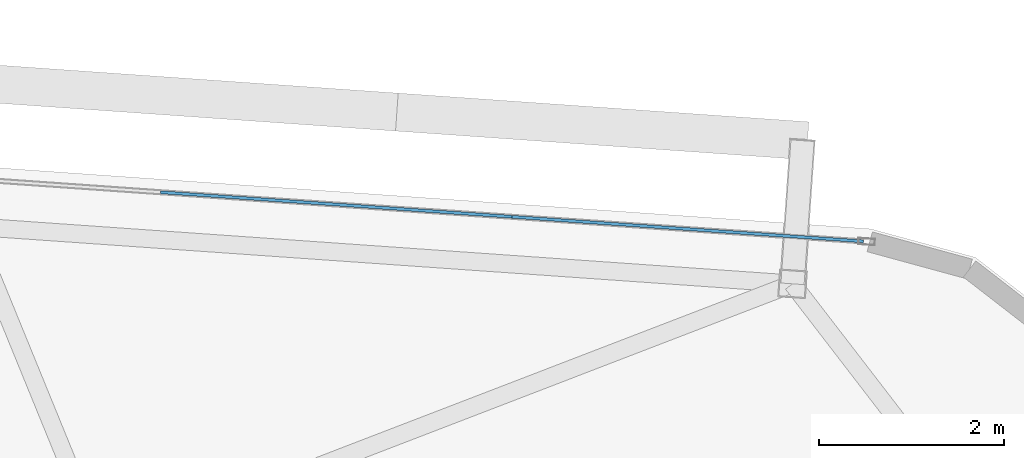
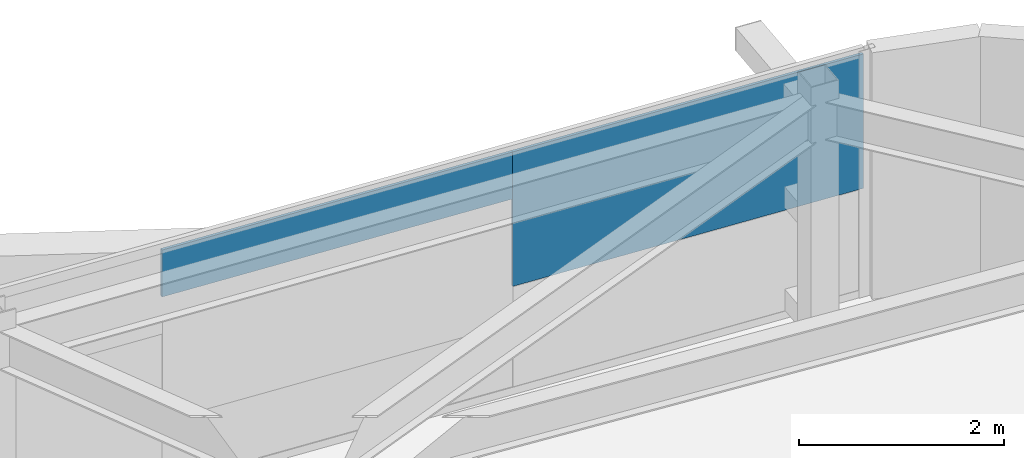
# One storey, part 26 of 39: 2 plates, 1 element without a shape of its own.
"""IFC4 building model written with IfcOpenShell, lengths in metres."""

import ifcopenshell
import ifcopenshell.guid

model = None  # the IFC model being written
_history = None  # IfcOwnerHistory: only IFC2X3 demands one
_inside = {}  # id of a spatial element -> (the spatial element, [elements in it])
_under = {}  # id of a project, library or spatial element -> (it, [spatial elements below it])
_declared = {}  # id of a project -> (the project, [libraries it declares])
_typed = {}  # id of a type object -> (the type object, [elements of that type])
_made_of = {}  # id of a material, layer set ... -> (it, [elements and type objects made of it])


def new_model(schema):
    """Start an empty IFC model of exactly this schema.

    Asked for "IFC4X3", IfcOpenShell would pick the latest addendum, in which some entities
    have other attributes; the version numbers below select the first issue.
    IFC2X3 requires an IfcOwnerHistory on every rooted entity: one is made here for all.
    """
    global model, _history
    if schema == "IFC4X3":
        model = ifcopenshell.file(schema_version=(4, 3, 0, 0))
    else:
        model = ifcopenshell.file(schema=schema)
    _inside.clear()
    _under.clear()
    _declared.clear()
    _typed.clear()
    _made_of.clear()
    _history = None
    if model.schema == "IFC2X3":
        org = make("IfcOrganization", Name="unknown")
        user = make(
            "IfcPersonAndOrganization",
            ThePerson=make("IfcPerson", FamilyName="unknown"),
            TheOrganization=org,
        )
        app = make(
            "IfcApplication",
            ApplicationDeveloper=org,
            Version="unknown",
            ApplicationFullName="unknown",
            ApplicationIdentifier="unknown",
        )
        _history = make(
            "IfcOwnerHistory",
            OwningUser=user,
            OwningApplication=app,
            ChangeAction="ADDED",
            CreationDate=0,
        )
    return model


def make(cls, **values):
    """One entity of the class cls with the attributes given. An attribute that is None is left unset."""
    return model.create_entity(
        cls, **{name: value for name, value in values.items() if value is not None}
    )


def rooted(cls, **values):
    """An entity with a GlobalId (a new one), such as an element, a storey or a relation."""
    return make(cls, GlobalId=ifcopenshell.guid.new(), OwnerHistory=_history, **values)


def si_unit(unit_type, name, prefix=None):
    """IfcSIUnit, for example si_unit("LENGTHUNIT", "METRE", prefix="MILLI")."""
    return make("IfcSIUnit", UnitType=unit_type, Prefix=prefix, Name=name)


def assignment(units):
    """IfcUnitAssignment: the units of a project."""
    return None if units is None else make("IfcUnitAssignment", Units=units)


def point(xyz):
    """IfcCartesianPoint."""
    return None if xyz is None else make("IfcCartesianPoint", Coordinates=xyz)


def direction(xyz):
    """IfcDirection."""
    return None if xyz is None else make("IfcDirection", DirectionRatios=xyz)


def frame(location, z_axis=None, x_axis=None):
    """IfcAxis2Placement3D, a coordinate frame: its origin and axes. An axis left out is left unset."""
    return make(
        "IfcAxis2Placement3D",
        Location=point(location),
        Axis=direction(z_axis),
        RefDirection=direction(x_axis),
    )


def frame_2d(location, x_axis=None):
    """IfcAxis2Placement2D, a coordinate frame in the plane: its origin and x axis."""
    return make(
        "IfcAxis2Placement2D", Location=point(location), RefDirection=direction(x_axis)
    )


def origin():
    """The frame at (0, 0, 0) with its axes left unset."""
    return frame((0.0, 0.0, 0.0))


def origin_2d():
    """The frame at (0, 0) in the plane with its x axis left unset."""
    return frame_2d((0.0, 0.0))


def place(relative_to, where):
    """IfcLocalPlacement: puts the frame where relative to a parent placement (None: the world)."""
    return make(
        "IfcLocalPlacement", PlacementRelTo=relative_to, RelativePlacement=where
    )


def context(
    kind, dimensions, precision=None, world=None, true_north=None, identifier=None
):
    """IfcGeometricRepresentationContext, for example the 3D "Model" context."""
    return make(
        "IfcGeometricRepresentationContext",
        ContextIdentifier=identifier,
        ContextType=kind,
        CoordinateSpaceDimension=dimensions,
        Precision=precision,
        WorldCoordinateSystem=world,
        TrueNorth=true_north,
    )


def subcontext(parent, identifier, kind, view, scale=None):
    """IfcGeometricRepresentationSubContext, for example "Body" below "Model"."""
    return make(
        "IfcGeometricRepresentationSubContext",
        ContextIdentifier=identifier,
        ContextType=kind,
        ParentContext=parent,
        TargetScale=scale,
        TargetView=view,
    )


def project(units=None, contexts=None):
    """IfcProject with its units and contexts."""
    return rooted(
        "IfcProject",
        Name="project",
        RepresentationContexts=contexts,
        UnitsInContext=assignment(units),
    )


def spatial(cls, under=None, at=None, **own):
    """A site, building, storey or space (cls), placed at a placement, below another one or the project."""
    s = rooted(cls, ObjectPlacement=at, **own)
    if under is not None:
        _under.setdefault(under.id(), (under, []))[1].append(s)
    return s


def profile(cls, at=None, kind="AREA", **sizes):
    """A parametric profile (cls). Its sizes go by their IFC names, for example OverallWidth=200.0."""
    return make(cls, ProfileType=kind, Position=at, **sizes)


def rectangle(**sizes):
    """IfcRectangleProfileDef."""
    return profile("IfcRectangleProfileDef", **sizes)


def extrude(swept, where, along, depth):
    """IfcExtrudedAreaSolid: the profile swept, set in the frame where, extruded along a direction by depth."""
    return make(
        "IfcExtrudedAreaSolid",
        SweptArea=swept,
        Position=where,
        ExtrudedDirection=direction(along),
        Depth=depth,
    )


def shape(context_of_items, identifier, shape_type, items):
    """IfcShapeRepresentation: the items that make up one representation, for example the "Body"."""
    return make(
        "IfcShapeRepresentation",
        ContextOfItems=context_of_items,
        RepresentationIdentifier=identifier,
        RepresentationType=shape_type,
        Items=items,
    )


def source(mapping_origin, context_of_items, identifier, shape_type, items):
    """IfcRepresentationMap: a shape defined once, which mapped items show again and again."""
    return make(
        "IfcRepresentationMap",
        MappingOrigin=mapping_origin,
        MappedRepresentation=shape(context_of_items, identifier, shape_type, items),
    )


def transform(
    local_origin,
    x_axis=None,
    y_axis=None,
    z_axis=None,
    scale=None,
    scale2=None,
    scale3=None,
    uniform=True,
):
    """IfcCartesianTransformationOperator3D, or its non-uniform kind. x_axis, y_axis, z_axis: its Axis1, 2, 3."""
    if uniform:
        return make(
            "IfcCartesianTransformationOperator3D",
            Axis1=direction(x_axis),
            Axis2=direction(y_axis),
            LocalOrigin=point(local_origin),
            Scale=scale,
            Axis3=direction(z_axis),
        )
    return make(
        "IfcCartesianTransformationOperator3DnonUniform",
        Axis1=direction(x_axis),
        Axis2=direction(y_axis),
        LocalOrigin=point(local_origin),
        Scale=scale,
        Axis3=direction(z_axis),
        Scale2=scale2,
        Scale3=scale3,
    )


def mapped(mapping_source, mapping_target):
    """IfcMappedItem: shows the shape of a source again, moved by a transform."""
    return make(
        "IfcMappedItem", MappingSource=mapping_source, MappingTarget=mapping_target
    )


def material(Name=None, Category=None):
    """IfcMaterial."""
    return make("IfcMaterial", Name=Name, Category=Category)


def layer(
    of_material, thickness, ventilated=None, Name=None, Category=None, Priority=None
):
    """IfcMaterialLayer: one layer of a wall or slab, of a material (None: an air gap)."""
    return make(
        "IfcMaterialLayer",
        Material=of_material,
        LayerThickness=thickness,
        IsVentilated=ventilated,
        Name=Name,
        Category=Category,
        Priority=Priority,
    )


def layer_set(layers, Name=None):
    """IfcMaterialLayerSet."""
    return make("IfcMaterialLayerSet", MaterialLayers=layers, LayerSetName=Name)


def made_of(thing, what):
    """Note that an element or type object is made of a material, layer set ...; save() writes the relation."""
    if what is not None:
        _made_of.setdefault(what.id(), (what, []))[1].append(thing)
    return thing


def type_object(cls, material=None, **own):
    """A type object (cls), such as IfcWallType, which elements share."""
    return made_of(rooted(cls, **own), material)


def element(
    cls,
    number,
    at=None,
    inside=None,
    cuts=None,
    type_object=None,
    material=None,
    context=None,
    identifier="Body",
    shape_type=None,
    held_by="IfcProductDefinitionShape",
    body=None,
    shapes=None,
    **own,
):
    """One element of the class cls, such as IfcWall. Its Tag is "e" and its number.

    at: its placement. inside: the storey or other place that contains it. cuts: it is an
    opening in that element (IfcRelVoidsElement). A single representation is given by context,
    identifier, shape_type and body (its items); several are given by shapes. held_by: the class
    of the entity that holds the representations. save() writes the other relations.
    """
    e = rooted(cls, Tag="e%d" % number, ObjectPlacement=at, **own)
    if body is not None:
        shapes = [shape(context, identifier, shape_type, body)]
    if shapes is not None:
        e.Representation = make(held_by, Representations=shapes)
    if inside is not None:
        _inside.setdefault(inside.id(), (inside, []))[1].append(e)
    if cuts is not None:
        rooted(
            "IfcRelVoidsElement", RelatingBuildingElement=cuts, RelatedOpeningElement=e
        )
    if type_object is not None:
        _typed.setdefault(type_object.id(), (type_object, []))[1].append(e)
    return made_of(e, material)


def aggregate(whole, parts):
    """IfcRelAggregates: a whole, such as a stair, and the parts it consists of."""
    return rooted("IfcRelAggregates", RelatingObject=whole, RelatedObjects=parts)


def save(model, path):
    """Write the relations noted so far, then the file.

    IfcRelAggregates (storeys below a building ...), IfcRelContainedInSpatialStructure (elements
    in a storey), IfcRelDefinesByType, IfcRelAssociatesMaterial and IfcRelDeclares: one each for
    every whole, place, type object, material and project.
    """
    for whole, parts in _under.values():
        aggregate(whole, parts)
    for where, things in _inside.values():
        rooted(
            "IfcRelContainedInSpatialStructure",
            RelatedElements=things,
            RelatingStructure=where,
        )
    for kind, things in _typed.values():
        rooted("IfcRelDefinesByType", RelatedObjects=things, RelatingType=kind)
    for what, things in _made_of.values():
        rooted("IfcRelAssociatesMaterial", RelatedObjects=things, RelatingMaterial=what)
    for by, libraries in _declared.values():
        rooted("IfcRelDeclares", RelatingContext=by, RelatedDefinitions=libraries)
    model.write(path)


model = new_model("IFC4")

# Units and contexts
model_context = context("Model", 3, precision=1e-05, world=origin(), true_north=direction((0.0, 1.0)))
body_context = subcontext(model_context, "Body", "Model", "MODEL_VIEW")
ifc_project = project(units=[si_unit("LENGTHUNIT", "METRE"), si_unit("AREAUNIT", "SQUARE_METRE"), si_unit("VOLUMEUNIT", "CUBIC_METRE"), si_unit("PLANEANGLEUNIT", "RADIAN"), si_unit("MASSUNIT", "GRAM", prefix="KILO")], contexts=[model_context])

# Site, building, storey
site_placement = place(None, origin())
site = spatial("IfcSite", under=ifc_project, at=site_placement, CompositionType="ELEMENT")
building_placement = place(site_placement, origin())
building = spatial("IfcBuilding", under=site, at=building_placement, Name="Taldren Reach Tower", CompositionType="ELEMENT")
storey_placement = place(building_placement, frame((0.0, 0.0, 136.14990234375)))
storey = spatial("IfcBuildingStorey", under=building, at=storey_placement, Name="L41", CompositionType="ELEMENT", Elevation=136.14990234375)

# Curtain wall, plates
ifc_material_1 = material(Name="Aluminium and Low-E Glass Unitised System", Category="aluminium")
ifc_layer_1 = layer(ifc_material_1, 0.159912109375)
ifc_layer_set_1 = layer_set([ifc_layer_1], Name="Aluminium and Low-E Glass Unitised System")
curtain_wall_type = type_object("IfcCurtainWallType", Name="CW-SYS-4", PredefinedType="NOTDEFINED", material=ifc_layer_set_1)
curtain_wall_placement = place(storey_placement, origin())
curtain_wall = element("IfcCurtainWall", 1, at=curtain_wall_placement, inside=storey, type_object=curtain_wall_type, Name="Unitised curtain wall CW-L41-N", PredefinedType="NOTDEFINED")
ifc_material_2 = material(Name="Solar-Control Double Glazed IGU", Category="glass")
ifc_layer_2 = layer(ifc_material_2, 0.031982421875)
ifc_layer_set_2 = layer_set([ifc_layer_2], Name="Solar-Control Double Glazed IGU")
plate_type = type_object("IfcPlateType", Name="CW-PNL-IGU32", PredefinedType="CURTAIN_PANEL", material=ifc_layer_set_2)
shared_shape_1 = source(origin(), body_context, "Body", "SweptSolid", [
    extrude(rectangle(XDim=3.79833984375, YDim=0.031982421875, at=origin_2d()), origin(), (0.0, 0.0, 1.0), 1.597900390625),
])
plate_1_placement = place(storey_placement, frame((57.3056640625, 35.451904296875, 1.27734375), z_axis=(0.0, 0.0, 1.0), x_axis=(-0.99756404731, 0.06975651593, 0.0)))
plate_1 = element("IfcPlate", 2, at=plate_1_placement, type_object=plate_type, Name="CW-4 panel 1.1 part 1", PredefinedType="CURTAIN_PANEL", context=body_context, shape_type="MappedRepresentation", body=[
    mapped(shared_shape_1, transform((0.0, 0.0, 0.0), scale=1.0)),
])
shared_shape_2 = source(origin(), body_context, "Body", "SweptSolid", [
    extrude(rectangle(XDim=3.79833984375, YDim=0.031982421875, at=origin_2d()), origin(), (0.0, 0.0, 1.0), 0.558349609375),
])
plate_2_placement = place(storey_placement, frame((53.5166015625, 35.716796875, 2.31689453125), z_axis=(0.0, 0.0, 1.0), x_axis=(-0.99756404731, 0.06975651593, 0.0)))
plate_2 = element("IfcPlate", 3, at=plate_2_placement, type_object=plate_type, Name="CW-4 panel 1.1 part 3", PredefinedType="CURTAIN_PANEL", context=body_context, shape_type="MappedRepresentation", body=[
    mapped(shared_shape_2, transform((0.0, 0.0, 0.0), scale=1.0)),
])
aggregate(curtain_wall, [plate_1, plate_2])

save(model, "model.ifc")
